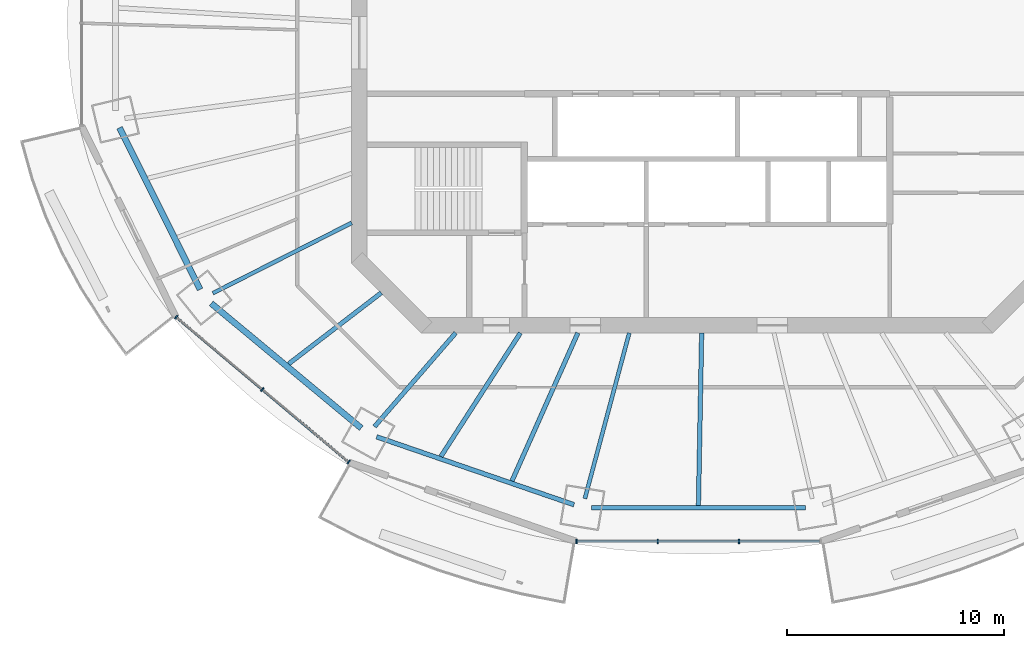
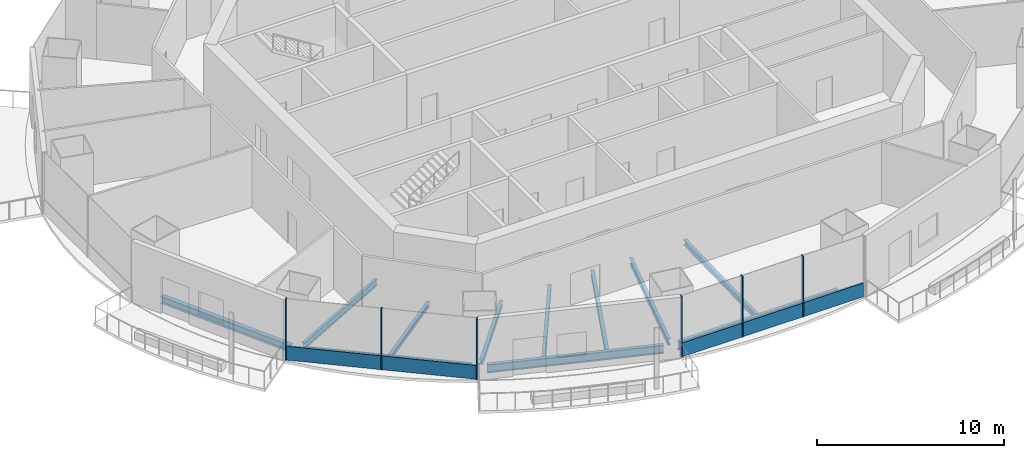
# One storey, part 2 of 16: 11 beams, 8 members, 2 elements without a shape of their own.
"""IFC4 building model written with IfcOpenShell, lengths in metres."""

from ifc_helpers import new_model, si_unit, direction, frame, origin, origin_2d, place, context, subcontext, project, spatial, rectangle, i_section, extrude, material, material_profile, profile_set, type_object, element, aggregate, save


model = new_model("IFC4")

# Units and contexts
model_context = context("Model", 3, precision=1e-05, world=origin(), true_north=direction((0.0, 1.0)))
body_context = subcontext(model_context, "Body", "Model", "MODEL_VIEW")
ifc_project = project(units=[si_unit("LENGTHUNIT", "METRE"), si_unit("AREAUNIT", "SQUARE_METRE"), si_unit("VOLUMEUNIT", "CUBIC_METRE"), si_unit("PLANEANGLEUNIT", "RADIAN"), si_unit("MASSUNIT", "GRAM", prefix="KILO")], contexts=[model_context])

# Site, building, storey
site_placement = place(None, origin())
site = spatial("IfcSite", under=ifc_project, at=site_placement, CompositionType="ELEMENT")
building_placement = place(site_placement, origin())
building = spatial("IfcBuilding", under=site, at=building_placement, Name="Marenthal Gate Tower", CompositionType="ELEMENT")
storey_placement = place(building_placement, frame((0.0, 0.0, 284.5)))
storey = spatial("IfcBuildingStorey", under=building, at=storey_placement, Name="L63", CompositionType="ELEMENT", Elevation=284.5)

# Curtain wall, members
ifc_material_1 = material(Name="Aluminium and glass", Category="aluminium")
curtain_wall_type = type_object("IfcCurtainWallType", Name="Curtain wall typical high", PredefinedType="NOTDEFINED", material=ifc_material_1)
curtain_wall_1_placement = place(storey_placement, origin())
curtain_wall_1 = element("IfcCurtainWall", 1, at=curtain_wall_1_placement, inside=storey, type_object=curtain_wall_type, Name="Curtain wall L63 bay 10", PredefinedType="NOTDEFINED")
ifc_material_2 = material(Name="Aluminium", Category="aluminium")
ifc_material_profile_1 = material_profile(ifc_material_2, rectangle(XDim=0.199951171875, YDim=0.06005859375, at=origin_2d()), Name="60x200 aluminium mullion")
ifc_profile_set_1 = profile_set([ifc_material_profile_1], Name="Aluminium")
member_type_1 = type_object("IfcMemberType", Name="Mullion 60x200 typical high", PredefinedType="MULLION", material=ifc_profile_set_1)
member_1_placement = place(storey_placement, frame((-24.42138671875, -12.621337890625, 0.0), z_axis=(0.0, 0.0, 1.0), x_axis=(0.643380191367, 0.76554681722, 0.0)))
member_1 = element("IfcMember", 2, at=member_1_placement, type_object=member_type_1, Name="Mullion L63 bay 10.1", PredefinedType="MULLION", context=body_context, shape_type="SweptSolid", body=[
    extrude(rectangle(XDim=0.199951171875, YDim=0.06005859375, at=origin_2d()), origin(), (0.0, 0.0, 1.0), 3.969970703125),
])
member_2_placement = place(storey_placement, frame((-20.455322265625, -15.95458984375, 0.0), z_axis=(0.0, 0.0, 1.0), x_axis=(0.643380191367, 0.76554681722, 0.0)))
member_2 = element("IfcMember", 3, at=member_2_placement, type_object=member_type_1, Name="Mullion L63 bay 10.2", PredefinedType="MULLION", context=body_context, shape_type="SweptSolid", body=[
    extrude(rectangle(XDim=0.199951171875, YDim=0.06005859375, at=origin_2d()), origin(), (0.0, 0.0, 1.0), 3.969970703125),
])
member_3_placement = place(storey_placement, frame((-16.489013671875, -19.287841796875, 0.0), z_axis=(0.0, 0.0, 1.0), x_axis=(0.643380191367, 0.76554681722, 0.0)))
member_3 = element("IfcMember", 4, at=member_3_placement, type_object=member_type_1, Name="Mullion L63 bay 10.3", PredefinedType="MULLION", context=body_context, shape_type="SweptSolid", body=[
    extrude(rectangle(XDim=0.199951171875, YDim=0.06005859375, at=origin_2d()), origin(), (0.0, 0.0, 1.0), 3.969970703125),
])

curtain_wall_2_placement = place(storey_placement, origin())
curtain_wall_2 = element("IfcCurtainWall", 5, at=curtain_wall_2_placement, inside=storey, type_object=curtain_wall_type, Name="Curtain wall L63 bay 12", PredefinedType="NOTDEFINED")
member_4_placement = place(storey_placement, frame((-6.01171875, -22.93603515625, 0.0), z_axis=(0.0, 0.0, 1.0), x_axis=(0.0, 1.0, 0.0)))
member_4 = element("IfcMember", 6, at=member_4_placement, type_object=member_type_1, Name="Mullion L63 bay 12.1", PredefinedType="MULLION", context=body_context, shape_type="SweptSolid", body=[
    extrude(rectangle(XDim=0.199951171875, YDim=0.06005859375, at=origin_2d()), origin(), (0.0, 0.0, 1.0), 3.969970703125),
])
member_5_placement = place(storey_placement, frame((-2.2705078125, -22.93603515625, 0.0), z_axis=(0.0, 0.0, 1.0), x_axis=(0.0, 1.0, 0.0)))
member_5 = element("IfcMember", 7, at=member_5_placement, type_object=member_type_1, Name="Mullion L63 bay 12.2", PredefinedType="MULLION", context=body_context, shape_type="SweptSolid", body=[
    extrude(rectangle(XDim=0.199951171875, YDim=0.06005859375, at=origin_2d()), origin(), (0.0, 0.0, 1.0), 3.969970703125),
])
member_6_placement = place(storey_placement, frame((1.470458984375, -22.93603515625, 0.0), z_axis=(0.0, 0.0, 1.0), x_axis=(0.0, 1.0, 0.0)))
member_6 = element("IfcMember", 8, at=member_6_placement, type_object=member_type_1, Name="Mullion L63 bay 12.3", PredefinedType="MULLION", context=body_context, shape_type="SweptSolid", body=[
    extrude(rectangle(XDim=0.199951171875, YDim=0.06005859375, at=origin_2d()), origin(), (0.0, 0.0, 1.0), 3.969970703125),
])

# Member
ifc_material_3 = material(Name="Aluminium", Category="aluminium")
ifc_material_profile_2 = material_profile(ifc_material_3, rectangle(XDim=0.1201171875, YDim=0.89990234375, at=origin_2d()), Name="120x900 aluminium transom")
ifc_profile_set_2 = profile_set([ifc_material_profile_2], Name="Aluminium")
member_type_2 = type_object("IfcMemberType", Name="Transom 120x900 typical high", PredefinedType="USERDEFINED", material=ifc_profile_set_2)
member_7_placement = place(storey_placement, frame((-24.3984375, -12.640625, 0.449951171875), z_axis=(0.765547508353, -0.643379368999, 0.0), x_axis=(0.643379368999, 0.765547508353, 0.0)))
member_7 = element("IfcMember", 9, at=member_7_placement, type_object=member_type_2, Name="Transom L63 bay 10", ObjectType="TRANSOM", PredefinedType="USERDEFINED", context=body_context, shape_type="SweptSolid", body=[
    extrude(rectangle(XDim=0.1201171875, YDim=0.89990234375, at=origin_2d()), origin(), (0.0, 0.0, 1.0), 10.3017578125),
])

aggregate(curtain_wall_1, [member_1, member_2, member_3, member_7])

member_8_placement = place(storey_placement, frame((-5.981689453125, -22.93603515625, 0.449951171875), z_axis=(1.0, 0.0, 0.0), x_axis=(0.0, 1.0, 0.0)))
member_8 = element("IfcMember", 10, at=member_8_placement, type_object=member_type_2, Name="Transom L63 bay 12", ObjectType="TRANSOM", PredefinedType="USERDEFINED", context=body_context, shape_type="SweptSolid", body=[
    extrude(rectangle(XDim=0.1201171875, YDim=0.89990234375, at=origin_2d()), origin(), (0.0, 0.0, 1.0), 11.163330078125),
])

aggregate(curtain_wall_2, [member_4, member_5, member_6, member_8])

# Beams
ifc_material_4 = material(Name="Steel S355", Category="steel")
ifc_material_profile_3 = material_profile(ifc_material_4, i_section(OverallWidth=0.202880859375, OverallDepth=0.302001953125, WebThickness=0.007568359375, FlangeThickness=0.01318359375, FilletRadius=0.0126953125, at=origin_2d()), Name="W310X60")
ifc_profile_set_3 = profile_set([ifc_material_profile_3], Name="Steel S355")
beam_type_1 = type_object("IfcBeamType", Name="W310X60 beam", PredefinedType="BEAM", material=ifc_profile_set_3)
beam_1_placement = place(storey_placement, frame((-19.24609375, -14.771728515625, -0.3310546875), z_axis=(0.793283258517, 0.608852750471, 0.0), x_axis=(-0.608852750471, 0.793283258517, 0.0)))
element("IfcBeam", 11, at=beam_1_placement, inside=storey, type_object=beam_type_1, Name="BM-L63-31", PredefinedType="BEAM", context=body_context, shape_type="SweptSolid", body=[
    extrude(i_section(OverallWidth=0.202880859375, OverallDepth=0.302001953125, WebThickness=0.007568359375, FlangeThickness=0.01318359375, FilletRadius=0.0126953125, at=origin_2d()), origin(), (0.0, 0.0, 1.0), 5.365234375),
])
ifc_material_5 = material(Name="Steel S355", Category="steel")
ifc_material_profile_4 = material_profile(ifc_material_5, i_section(OverallWidth=0.205078125, OverallDepth=0.31005859375, WebThickness=0.009521484375, FlangeThickness=0.016357421875, FilletRadius=0.0126953125, at=origin_2d()), Name="W310X74")
ifc_profile_set_4 = profile_set([ifc_material_profile_4], Name="Steel S355")
beam_type_2 = type_object("IfcBeamType", Name="W310X74 beam", PredefinedType="BEAM", material=ifc_profile_set_4)
beam_2_placement = place(storey_placement, frame((-15.296630859375, -17.656982421875, -0.3349609375), z_axis=(0.654786987861, 0.755813469401, 0.0), x_axis=(-0.755813469401, 0.654786987861, 0.0)))
element("IfcBeam", 12, at=beam_2_placement, inside=storey, type_object=beam_type_2, Name="BM-L63-11", PredefinedType="BEAM", context=body_context, shape_type="SweptSolid", body=[
    extrude(i_section(OverallWidth=0.205078125, OverallDepth=0.31005859375, WebThickness=0.009521484375, FlangeThickness=0.016357421875, FilletRadius=0.0126953125, at=origin_2d()), origin(), (0.0, 0.0, 1.0), 5.6982421875),
])
beam_3_placement = place(storey_placement, frame((-12.244140625, -19.03271484375, -0.3349609375), z_axis=(0.541035136328, 0.840999988858, 0.0), x_axis=(-0.840999988858, 0.541035136328, 0.0)))
element("IfcBeam", 13, at=beam_3_placement, inside=storey, type_object=beam_type_2, Name="BM-L63-32", PredefinedType="BEAM", context=body_context, shape_type="SweptSolid", body=[
    extrude(i_section(OverallWidth=0.205078125, OverallDepth=0.31005859375, WebThickness=0.009521484375, FlangeThickness=0.016357421875, FilletRadius=0.0126953125, at=origin_2d()), origin(), (0.0, 0.0, 1.0), 6.757080078125),
])
ifc_material_6 = material(Name="Steel S355", Category="steel")
ifc_material_profile_5 = material_profile(ifc_material_6, i_section(OverallWidth=0.205078125, OverallDepth=0.35302734375, WebThickness=0.009521484375, FlangeThickness=0.016845703125, FilletRadius=0.014892578125, at=origin_2d()), Name="W360X79")
ifc_profile_set_5 = profile_set([ifc_material_profile_5], Name="Steel S355")
beam_type_3 = type_object("IfcBeamType", Name="W360X79 beam", PredefinedType="BEAM", material=ifc_profile_set_5)
beam_4_placement = place(storey_placement, frame((-8.97509765625, -20.158203125, -0.3564453125), z_axis=(0.406746290915, 0.913541162087, 0.0), x_axis=(-0.913541162087, 0.406746290915, 0.0)))
element("IfcBeam", 14, at=beam_4_placement, inside=storey, type_object=beam_type_3, Name="BM-L63-33", PredefinedType="BEAM", context=body_context, shape_type="SweptSolid", body=[
    extrude(i_section(OverallWidth=0.205078125, OverallDepth=0.35302734375, WebThickness=0.009521484375, FlangeThickness=0.016845703125, FilletRadius=0.014892578125, at=origin_2d()), origin(), (0.0, 0.0, 1.0), 7.452392578125),
])
beam_5_placement = place(storey_placement, frame((-0.39794921875, -21.280517578125, -0.3564453125), z_axis=(0.018683435883, 0.999825449378, 0.0), x_axis=(-0.999825449378, 0.018683435883, 0.0)))
element("IfcBeam", 15, at=beam_5_placement, inside=storey, type_object=beam_type_3, Name="BM-L63-34", PredefinedType="BEAM", context=body_context, shape_type="SweptSolid", body=[
    extrude(i_section(OverallWidth=0.205078125, OverallDepth=0.35302734375, WebThickness=0.009521484375, FlangeThickness=0.016845703125, FilletRadius=0.014892578125, at=origin_2d()), origin(), (0.0, 0.0, 1.0), 7.931884765625),
])
ifc_material_7 = material(Name="Steel S355", Category="steel")
ifc_material_profile_6 = material_profile(ifc_material_7, i_section(OverallWidth=0.180908203125, OverallDepth=0.4169921875, WebThickness=0.010986328125, FlangeThickness=0.018310546875, FilletRadius=0.01025390625, at=origin_2d()), Name="W410X85")
ifc_profile_set_6 = profile_set([ifc_material_profile_6], Name="Steel S355")
beam_type_4 = type_object("IfcBeamType", Name="W410X85 beam", PredefinedType="BEAM", material=ifc_profile_set_6)
beam_6_placement = place(storey_placement, frame((-22.7333984375, -11.52294921875, -0.388427734375), z_axis=(0.891957457123, 0.452119336772, 0.0), x_axis=(-0.452119336772, 0.891957457123, 0.0)))
element("IfcBeam", 16, at=beam_6_placement, inside=storey, type_object=beam_type_4, Name="BM-L63-10", PredefinedType="BEAM", context=body_context, shape_type="SweptSolid", body=[
    extrude(i_section(OverallWidth=0.180908203125, OverallDepth=0.4169921875, WebThickness=0.010986328125, FlangeThickness=0.018310546875, FilletRadius=0.01025390625, at=origin_2d()), origin(), (0.0, 0.0, 1.0), 7.156494140625),
])
beam_7_placement = place(storey_placement, frame((-5.622314453125, -20.971435546875, -0.388427734375), z_axis=(0.258946932177, 0.965891549977, 0.0), x_axis=(-0.965891549977, 0.258946932177, 0.0)))
element("IfcBeam", 17, at=beam_7_placement, inside=storey, type_object=beam_type_4, Name="BM-L63-12", PredefinedType="BEAM", context=body_context, shape_type="SweptSolid", body=[
    extrude(i_section(OverallWidth=0.180908203125, OverallDepth=0.4169921875, WebThickness=0.010986328125, FlangeThickness=0.018310546875, FilletRadius=0.01025390625, at=origin_2d()), origin(), (0.0, 0.0, 1.0), 7.890380859375),
])
ifc_material_8 = material(Name="Steel S355", Category="steel")
ifc_material_profile_7 = material_profile(ifc_material_8, i_section(OverallWidth=0.279052734375, OverallDepth=0.4619140625, WebThickness=0.0107421875, FlangeThickness=0.017333984375, FilletRadius=0.010009765625, at=origin_2d()), Name="W460X113")
ifc_profile_set_7 = profile_set([ifc_material_profile_7], Name="Steel S355")
beam_type_5 = type_object("IfcBeamType", Name="W460X113 beam", PredefinedType="BEAM", material=ifc_profile_set_7)
beam_8_placement = place(storey_placement, frame((-27.023681640625, -3.912353515625, -0.410888671875), z_axis=(0.446025836929, -0.895020085133, 0.0), x_axis=(0.895020085133, 0.446025836929, 0.0)))
element("IfcBeam", 18, at=beam_8_placement, inside=storey, type_object=beam_type_5, Name="BM-L63-49", PredefinedType="BEAM", context=body_context, shape_type="SweptSolid", body=[
    extrude(i_section(OverallWidth=0.279052734375, OverallDepth=0.4619140625, WebThickness=0.0107421875, FlangeThickness=0.017333984375, FilletRadius=0.010009765625, at=origin_2d()), origin(), (0.0, 0.0, 1.0), 8.306884765625),
])
beam_9_placement = place(storey_placement, frame((-22.80908203125, -11.99169921875, -0.410888671875), z_axis=(0.769034611426, -0.639207138906, 0.0), x_axis=(0.639207138906, 0.769034611426, 0.0)))
element("IfcBeam", 19, at=beam_9_placement, inside=storey, type_object=beam_type_5, Name="BM-L63-50", PredefinedType="BEAM", context=body_context, shape_type="SweptSolid", body=[
    extrude(i_section(OverallWidth=0.279052734375, OverallDepth=0.4619140625, WebThickness=0.0107421875, FlangeThickness=0.017333984375, FilletRadius=0.010009765625, at=origin_2d()), origin(), (0.0, 0.0, 1.0), 8.9736328125),
])
ifc_material_9 = material(Name="Steel S355", Category="steel")
ifc_material_profile_8 = material_profile(ifc_material_9, i_section(OverallWidth=0.2119140625, OverallDepth=0.5439453125, WebThickness=0.01318359375, FlangeThickness=0.021240234375, FilletRadius=0.0126953125, at=origin_2d()), Name="W530X123")
ifc_profile_set_8 = profile_set([ifc_material_profile_8], Name="Steel S355")
beam_type_6 = type_object("IfcBeamType", Name="W530X123 beam", PredefinedType="BEAM", material=ifc_profile_set_8)
beam_10_placement = place(storey_placement, frame((-15.19677734375, -18.128173828125, -0.451904296875), z_axis=(0.945528342473, -0.325539788013, 0.0), x_axis=(0.325539788013, 0.945528342473, 0.0)))
element("IfcBeam", 20, at=beam_10_placement, inside=storey, type_object=beam_type_6, Name="BM-L63-51", PredefinedType="BEAM", context=body_context, shape_type="SweptSolid", body=[
    extrude(i_section(OverallWidth=0.2119140625, OverallDepth=0.5439453125, WebThickness=0.01318359375, FlangeThickness=0.021240234375, FilletRadius=0.0126953125, at=origin_2d()), origin(), (0.0, 0.0, 1.0), 9.595703125),
])
beam_11_placement = place(storey_placement, frame((-5.3212890625, -21.386474609375, -0.451904296875), z_axis=(1.0, 0.0, 0.0), x_axis=(0.0, 1.0, 0.0)))
element("IfcBeam", 21, at=beam_11_placement, inside=storey, type_object=beam_type_6, Name="BM-L63-52", PredefinedType="BEAM", context=body_context, shape_type="SweptSolid", body=[
    extrude(i_section(OverallWidth=0.2119140625, OverallDepth=0.5439453125, WebThickness=0.01318359375, FlangeThickness=0.021240234375, FilletRadius=0.0126953125, at=origin_2d()), origin(), (0.0, 0.0, 1.0), 9.842529296875),
])

save(model, "model.ifc")
